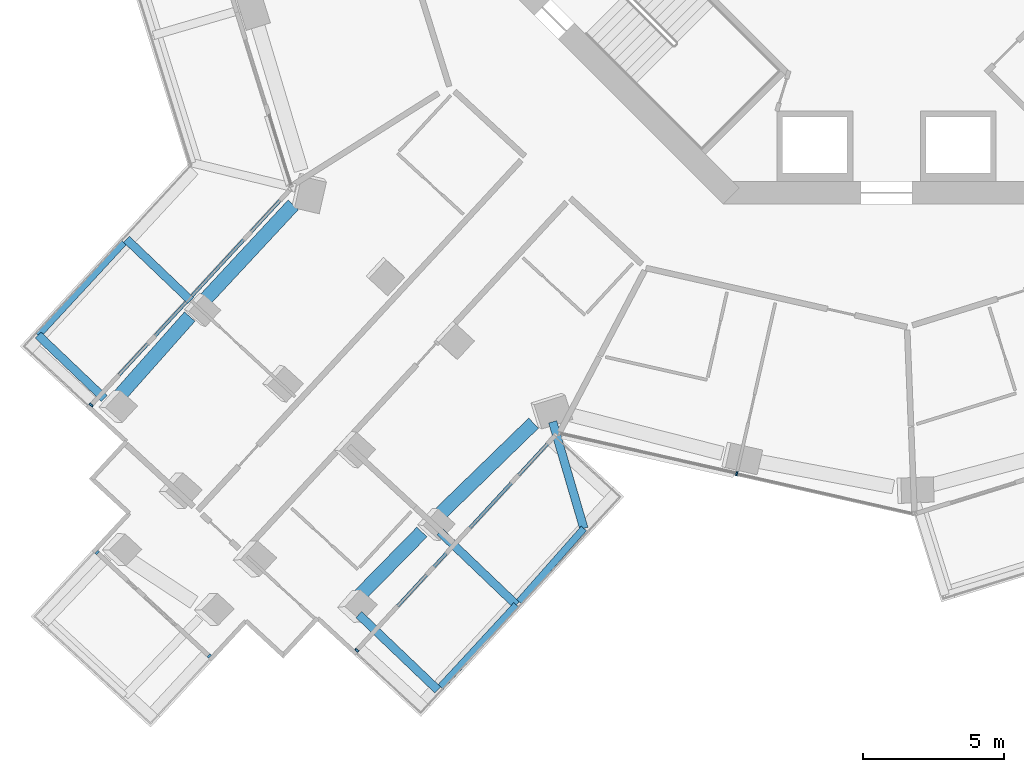
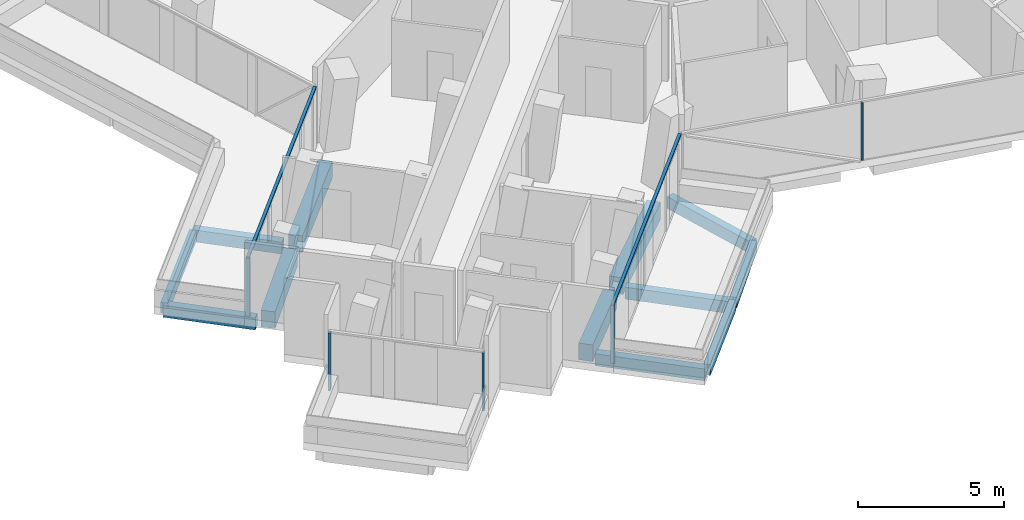
# One storey, part 2 of 25: 12 beams, 7 members, 4 elements without a shape of their own.
"""IFC4 building model written with IfcOpenShell, lengths in metres."""

import ifcopenshell
import ifcopenshell.guid

model = None  # the IFC model being written
_history = None  # IfcOwnerHistory: only IFC2X3 demands one
_inside = {}  # id of a spatial element -> (the spatial element, [elements in it])
_under = {}  # id of a project, library or spatial element -> (it, [spatial elements below it])
_declared = {}  # id of a project -> (the project, [libraries it declares])
_typed = {}  # id of a type object -> (the type object, [elements of that type])
_made_of = {}  # id of a material, layer set ... -> (it, [elements and type objects made of it])


def new_model(schema):
    """Start an empty IFC model of exactly this schema.

    Asked for "IFC4X3", IfcOpenShell would pick the latest addendum, in which some entities
    have other attributes; the version numbers below select the first issue.
    IFC2X3 requires an IfcOwnerHistory on every rooted entity: one is made here for all.
    """
    global model, _history
    if schema == "IFC4X3":
        model = ifcopenshell.file(schema_version=(4, 3, 0, 0))
    else:
        model = ifcopenshell.file(schema=schema)
    _inside.clear()
    _under.clear()
    _declared.clear()
    _typed.clear()
    _made_of.clear()
    _history = None
    if model.schema == "IFC2X3":
        org = make("IfcOrganization", Name="unknown")
        user = make(
            "IfcPersonAndOrganization",
            ThePerson=make("IfcPerson", FamilyName="unknown"),
            TheOrganization=org,
        )
        app = make(
            "IfcApplication",
            ApplicationDeveloper=org,
            Version="unknown",
            ApplicationFullName="unknown",
            ApplicationIdentifier="unknown",
        )
        _history = make(
            "IfcOwnerHistory",
            OwningUser=user,
            OwningApplication=app,
            ChangeAction="ADDED",
            CreationDate=0,
        )
    return model


def make(cls, **values):
    """One entity of the class cls with the attributes given. An attribute that is None is left unset."""
    return model.create_entity(
        cls, **{name: value for name, value in values.items() if value is not None}
    )


def rooted(cls, **values):
    """An entity with a GlobalId (a new one), such as an element, a storey or a relation."""
    return make(cls, GlobalId=ifcopenshell.guid.new(), OwnerHistory=_history, **values)


def si_unit(unit_type, name, prefix=None):
    """IfcSIUnit, for example si_unit("LENGTHUNIT", "METRE", prefix="MILLI")."""
    return make("IfcSIUnit", UnitType=unit_type, Prefix=prefix, Name=name)


def assignment(units):
    """IfcUnitAssignment: the units of a project."""
    return None if units is None else make("IfcUnitAssignment", Units=units)


def point(xyz):
    """IfcCartesianPoint."""
    return None if xyz is None else make("IfcCartesianPoint", Coordinates=xyz)


def direction(xyz):
    """IfcDirection."""
    return None if xyz is None else make("IfcDirection", DirectionRatios=xyz)


def frame(location, z_axis=None, x_axis=None):
    """IfcAxis2Placement3D, a coordinate frame: its origin and axes. An axis left out is left unset."""
    return make(
        "IfcAxis2Placement3D",
        Location=point(location),
        Axis=direction(z_axis),
        RefDirection=direction(x_axis),
    )


def frame_2d(location, x_axis=None):
    """IfcAxis2Placement2D, a coordinate frame in the plane: its origin and x axis."""
    return make(
        "IfcAxis2Placement2D", Location=point(location), RefDirection=direction(x_axis)
    )


def origin():
    """The frame at (0, 0, 0) with its axes left unset."""
    return frame((0.0, 0.0, 0.0))


def origin_2d():
    """The frame at (0, 0) in the plane with its x axis left unset."""
    return frame_2d((0.0, 0.0))


def place(relative_to, where):
    """IfcLocalPlacement: puts the frame where relative to a parent placement (None: the world)."""
    return make(
        "IfcLocalPlacement", PlacementRelTo=relative_to, RelativePlacement=where
    )


def context(
    kind, dimensions, precision=None, world=None, true_north=None, identifier=None
):
    """IfcGeometricRepresentationContext, for example the 3D "Model" context."""
    return make(
        "IfcGeometricRepresentationContext",
        ContextIdentifier=identifier,
        ContextType=kind,
        CoordinateSpaceDimension=dimensions,
        Precision=precision,
        WorldCoordinateSystem=world,
        TrueNorth=true_north,
    )


def subcontext(parent, identifier, kind, view, scale=None):
    """IfcGeometricRepresentationSubContext, for example "Body" below "Model"."""
    return make(
        "IfcGeometricRepresentationSubContext",
        ContextIdentifier=identifier,
        ContextType=kind,
        ParentContext=parent,
        TargetScale=scale,
        TargetView=view,
    )


def project(units=None, contexts=None):
    """IfcProject with its units and contexts."""
    return rooted(
        "IfcProject",
        Name="project",
        RepresentationContexts=contexts,
        UnitsInContext=assignment(units),
    )


def spatial(cls, under=None, at=None, **own):
    """A site, building, storey or space (cls), placed at a placement, below another one or the project."""
    s = rooted(cls, ObjectPlacement=at, **own)
    if under is not None:
        _under.setdefault(under.id(), (under, []))[1].append(s)
    return s


def profile(cls, at=None, kind="AREA", **sizes):
    """A parametric profile (cls). Its sizes go by their IFC names, for example OverallWidth=200.0."""
    return make(cls, ProfileType=kind, Position=at, **sizes)


def rectangle(**sizes):
    """IfcRectangleProfileDef."""
    return profile("IfcRectangleProfileDef", **sizes)


def extrude(swept, where, along, depth):
    """IfcExtrudedAreaSolid: the profile swept, set in the frame where, extruded along a direction by depth."""
    return make(
        "IfcExtrudedAreaSolid",
        SweptArea=swept,
        Position=where,
        ExtrudedDirection=direction(along),
        Depth=depth,
    )


def shape(context_of_items, identifier, shape_type, items):
    """IfcShapeRepresentation: the items that make up one representation, for example the "Body"."""
    return make(
        "IfcShapeRepresentation",
        ContextOfItems=context_of_items,
        RepresentationIdentifier=identifier,
        RepresentationType=shape_type,
        Items=items,
    )


def material(Name=None, Category=None):
    """IfcMaterial."""
    return make("IfcMaterial", Name=Name, Category=Category)


def layer(
    of_material, thickness, ventilated=None, Name=None, Category=None, Priority=None
):
    """IfcMaterialLayer: one layer of a wall or slab, of a material (None: an air gap)."""
    return make(
        "IfcMaterialLayer",
        Material=of_material,
        LayerThickness=thickness,
        IsVentilated=ventilated,
        Name=Name,
        Category=Category,
        Priority=Priority,
    )


def layer_set(layers, Name=None):
    """IfcMaterialLayerSet."""
    return make("IfcMaterialLayerSet", MaterialLayers=layers, LayerSetName=Name)


def material_profile(
    of_material, cross_section, Name=None, Category=None, Priority=None
):
    """IfcMaterialProfile: a cross section and its material."""
    return make(
        "IfcMaterialProfile",
        Name=Name,
        Material=of_material,
        Profile=cross_section,
        Priority=Priority,
        Category=Category,
    )


def profile_set(profiles, Name=None, composite=None):
    """IfcMaterialProfileSet."""
    return make(
        "IfcMaterialProfileSet",
        Name=Name,
        MaterialProfiles=profiles,
        CompositeProfile=composite,
    )


def made_of(thing, what):
    """Note that an element or type object is made of a material, layer set ...; save() writes the relation."""
    if what is not None:
        _made_of.setdefault(what.id(), (what, []))[1].append(thing)
    return thing


def type_object(cls, material=None, **own):
    """A type object (cls), such as IfcWallType, which elements share."""
    return made_of(rooted(cls, **own), material)


def element(
    cls,
    number,
    at=None,
    inside=None,
    cuts=None,
    type_object=None,
    material=None,
    context=None,
    identifier="Body",
    shape_type=None,
    held_by="IfcProductDefinitionShape",
    body=None,
    shapes=None,
    **own,
):
    """One element of the class cls, such as IfcWall. Its Tag is "e" and its number.

    at: its placement. inside: the storey or other place that contains it. cuts: it is an
    opening in that element (IfcRelVoidsElement). A single representation is given by context,
    identifier, shape_type and body (its items); several are given by shapes. held_by: the class
    of the entity that holds the representations. save() writes the other relations.
    """
    e = rooted(cls, Tag="e%d" % number, ObjectPlacement=at, **own)
    if body is not None:
        shapes = [shape(context, identifier, shape_type, body)]
    if shapes is not None:
        e.Representation = make(held_by, Representations=shapes)
    if inside is not None:
        _inside.setdefault(inside.id(), (inside, []))[1].append(e)
    if cuts is not None:
        rooted(
            "IfcRelVoidsElement", RelatingBuildingElement=cuts, RelatedOpeningElement=e
        )
    if type_object is not None:
        _typed.setdefault(type_object.id(), (type_object, []))[1].append(e)
    return made_of(e, material)


def aggregate(whole, parts):
    """IfcRelAggregates: a whole, such as a stair, and the parts it consists of."""
    return rooted("IfcRelAggregates", RelatingObject=whole, RelatedObjects=parts)


def save(model, path):
    """Write the relations noted so far, then the file.

    IfcRelAggregates (storeys below a building ...), IfcRelContainedInSpatialStructure (elements
    in a storey), IfcRelDefinesByType, IfcRelAssociatesMaterial and IfcRelDeclares: one each for
    every whole, place, type object, material and project.
    """
    for whole, parts in _under.values():
        aggregate(whole, parts)
    for where, things in _inside.values():
        rooted(
            "IfcRelContainedInSpatialStructure",
            RelatedElements=things,
            RelatingStructure=where,
        )
    for kind, things in _typed.values():
        rooted("IfcRelDefinesByType", RelatedObjects=things, RelatingType=kind)
    for what, things in _made_of.values():
        rooted("IfcRelAssociatesMaterial", RelatedObjects=things, RelatingMaterial=what)
    for by, libraries in _declared.values():
        rooted("IfcRelDeclares", RelatingContext=by, RelatedDefinitions=libraries)
    model.write(path)


model = new_model("IFC4")

# Units and contexts
model_context = context("Model", 3, precision=1e-05, world=origin(), true_north=direction((0.0, 1.0)))
body_context = subcontext(model_context, "Body", "Model", "MODEL_VIEW")
ifc_project = project(units=[si_unit("LENGTHUNIT", "METRE"), si_unit("AREAUNIT", "SQUARE_METRE"), si_unit("VOLUMEUNIT", "CUBIC_METRE"), si_unit("PLANEANGLEUNIT", "RADIAN"), si_unit("MASSUNIT", "GRAM", prefix="KILO")], contexts=[model_context])

# Site, building, storey
site_placement = place(None, origin())
site = spatial("IfcSite", under=ifc_project, at=site_placement, CompositionType="ELEMENT")
building_placement = place(site_placement, origin())
building = spatial("IfcBuilding", under=site, at=building_placement, Name="Verdalira Terraces Hotel", CompositionType="ELEMENT")
storey_placement = place(building_placement, frame((0.0, 0.0, 103.5)))
storey = spatial("IfcBuildingStorey", under=building, at=storey_placement, Name="L24", CompositionType="ELEMENT", Elevation=103.5)

# Beams
ifc_material_1 = material(Name="Concrete C40", Category="concrete")
ifc_material_profile_1 = material_profile(ifc_material_1, rectangle(XDim=0.300049, YDim=0.5, at=origin_2d()), Name="RC 300X500")
ifc_profile_set_1 = profile_set([ifc_material_profile_1], Name="Concrete C40")
beam_type_1 = type_object("IfcBeamType", Name="Balcony cantilever beam RC 300X500 C40", PredefinedType="BEAM", material=ifc_profile_set_1)
beam_1_placement = place(storey_placement, frame((-24.734131, -17.434082, -0.560059), z_axis=(-0.723200998, 0.690637616, 0.0), x_axis=(-0.690637616, -0.723200998, 0.0)))
element("IfcBeam", 1, at=beam_1_placement, inside=storey, type_object=beam_type_1, Name="Balcony cantilever beam R13-1", PredefinedType="BEAM", context=body_context, shape_type="SweptSolid", body=[
    extrude(rectangle(XDim=0.300049, YDim=0.5, at=origin_2d()), origin(), (0.0, 0.0, 1.0), 3.156494),
])
beam_2_placement = place(storey_placement, frame((-27.803955, -20.909668, -0.560059), z_axis=(-0.723212667, 0.690625396, 0.0), x_axis=(-0.690625396, -0.723212667, 0.0)))
element("IfcBeam", 2, at=beam_2_placement, inside=storey, type_object=beam_type_1, Name="Balcony cantilever beam R13-2", PredefinedType="BEAM", context=body_context, shape_type="SweptSolid", body=[
    extrude(rectangle(XDim=0.300049, YDim=0.5, at=origin_2d()), origin(), (0.0, 0.0, 1.0), 3.259033),
])
beam_3_placement = place(storey_placement, frame((-18.757812, -28.595947, -0.560059), z_axis=(0.723239874, -0.690596905, 0.0), x_axis=(0.690596905, 0.723239874, 0.0)))
element("IfcBeam", 3, at=beam_3_placement, inside=storey, type_object=beam_type_1, Name="Balcony cantilever beam R24-1", PredefinedType="BEAM", context=body_context, shape_type="SweptSolid", body=[
    extrude(rectangle(XDim=0.300049, YDim=0.5, at=origin_2d()), origin(), (0.0, 0.0, 1.0), 3.881592),
])
beam_4_placement = place(storey_placement, frame((-15.879883, -25.651123, -0.560059), z_axis=(0.723195064, -0.690643829, 0.0), x_axis=(0.690643829, 0.723195064, 0.0)))
element("IfcBeam", 4, at=beam_4_placement, inside=storey, type_object=beam_type_1, Name="Balcony cantilever beam R24-2", PredefinedType="BEAM", context=body_context, shape_type="SweptSolid", body=[
    extrude(rectangle(XDim=0.300049, YDim=0.5, at=origin_2d()), origin(), (0.0, 0.0, 1.0), 3.765137),
])
beam_5_placement = place(storey_placement, frame((-11.868164, -21.741455, -0.560059), z_axis=(0.280984845, -0.959712205, 0.0), x_axis=(0.959712205, 0.280984845, 0.0)))
element("IfcBeam", 5, at=beam_5_placement, inside=storey, type_object=beam_type_1, Name="Balcony cantilever beam R24-3", PredefinedType="BEAM", context=body_context, shape_type="SweptSolid", body=[
    extrude(rectangle(XDim=0.300049, YDim=0.5, at=origin_2d()), origin(), (0.0, 0.0, 1.0), 3.949951),
])
ifc_material_2 = material(Name="Concrete C40", Category="concrete")
ifc_material_profile_2 = material_profile(ifc_material_2, rectangle(XDim=0.25, YDim=0.449951, at=origin_2d()), Name="RC 250X450")
ifc_profile_set_2 = profile_set([ifc_material_profile_2], Name="Concrete C40")
beam_type_2 = type_object("IfcBeamType", Name="Balcony edge beam RC 250X450 C40", PredefinedType="BEAM", material=ifc_profile_set_2)
beam_6_placement = place(storey_placement, frame((-27.118652, -15.364502, -0.534912), z_axis=(-0.678427071, -0.734667755, 0.0), x_axis=(0.734667755, -0.678427071, 0.0)))
element("IfcBeam", 6, at=beam_6_placement, inside=storey, type_object=beam_type_2, Name="Balcony edge beam R13-1", PredefinedType="BEAM", context=body_context, shape_type="SweptSolid", body=[
    extrude(rectangle(XDim=0.25, YDim=0.449951, at=origin_2d()), origin(), (0.0, 0.0, 1.0), 4.484131),
])
beam_7_placement = place(storey_placement, frame((-15.848877, -31.166504, -0.534912), z_axis=(0.678428311, 0.734666609, 0.0), x_axis=(-0.734666609, 0.678428311, 0.0)))
element("IfcBeam", 7, at=beam_7_placement, inside=storey, type_object=beam_type_2, Name="Balcony edge beam R24-1", PredefinedType="BEAM", context=body_context, shape_type="SweptSolid", body=[
    extrude(rectangle(XDim=0.25, YDim=0.449951, at=origin_2d()), origin(), (0.0, 0.0, 1.0), 3.967773),
])
beam_8_placement = place(storey_placement, frame((-13.057617, -28.138916, -0.534912), z_axis=(0.661507799, 0.749938285, 0.0), x_axis=(-0.749938285, 0.661507799, 0.0)))
element("IfcBeam", 8, at=beam_8_placement, inside=storey, type_object=beam_type_2, Name="Balcony edge beam R24-2", PredefinedType="BEAM", context=body_context, shape_type="SweptSolid", body=[
    extrude(rectangle(XDim=0.25, YDim=0.449951, at=origin_2d()), origin(), (0.0, 0.0, 1.0), 3.47583),
])

# Curtain wall, member
ifc_material_3 = material(Name="Clear glass", Category="glass")
ifc_layer_1 = layer(ifc_material_3, 0.14990234375)
ifc_layer_set_1 = layer_set([ifc_layer_1], Name="CW1 curtain wall")
curtain_wall_type_1 = type_object("IfcCurtainWallType", Name="CW1 curtain wall", PredefinedType="NOTDEFINED", material=ifc_layer_set_1)
curtain_wall_1_placement = place(storey_placement, origin())
curtain_wall_1 = element("IfcCurtainWall", 9, at=curtain_wall_1_placement, inside=storey, type_object=curtain_wall_type_1, Name="CW1 curtain wall L24 edge 25", PredefinedType="NOTDEFINED")
ifc_material_4 = material(Name="Terracotta frame", Category="masonry")
ifc_material_profile_3 = material_profile(ifc_material_4, rectangle(XDim=0.060059, YDim=0.149902, at=origin_2d()), Name="MU 60x150")
ifc_profile_set_3 = profile_set([ifc_material_profile_3], Name="Terracotta frame")
member_type_1 = type_object("IfcMemberType", Name="CW1 mullion 60x150", PredefinedType="MULLION", material=ifc_profile_set_3)
member_1_placement = place(storey_placement, frame((-5.324951, -23.589844, 0.0), z_axis=(0.0, 0.0, 1.0), x_axis=(0.975457744, -0.220186717, 0.0)))
member_1 = element("IfcMember", 10, at=member_1_placement, type_object=member_type_1, Name="CW1 mullion", PredefinedType="MULLION", context=body_context, shape_type="SweptSolid", body=[
    extrude(rectangle(XDim=0.060059, YDim=0.149902, at=origin_2d()), origin(), (0.0, 0.0, 1.0), 2.425049),
])
aggregate(curtain_wall_1, [member_1])

ifc_material_5 = material(Name="Clear glass", Category="glass")
ifc_layer_2 = layer(ifc_material_5, 0.14990234375)
ifc_layer_set_2 = layer_set([ifc_layer_2], Name="CW2 curtain wall")
curtain_wall_type_2 = type_object("IfcCurtainWallType", Name="CW2 curtain wall", PredefinedType="NOTDEFINED", material=ifc_layer_set_2)
curtain_wall_2_placement = place(storey_placement, origin())
curtain_wall_2 = element("IfcCurtainWall", 11, at=curtain_wall_2_placement, inside=storey, type_object=curtain_wall_type_2, Name="CW2 curtain wall L24 edge 14", PredefinedType="NOTDEFINED")
ifc_material_6 = material(Name="Terracotta frame", Category="masonry")
ifc_material_profile_4 = material_profile(ifc_material_6, rectangle(XDim=0.070068, YDim=0.149902, at=origin_2d()), Name="MU 70x150")
ifc_profile_set_4 = profile_set([ifc_material_profile_4], Name="Terracotta frame")
member_type_2 = type_object("IfcMemberType", Name="CW2 mullion 70x150", PredefinedType="MULLION", material=ifc_profile_set_4)
member_2_placement = place(storey_placement, frame((-28.271484, -21.145508, 0.0), z_axis=(0.0, 0.0, 1.0), x_axis=(-0.678416162, -0.734677828, 0.0)))
member_2 = element("IfcMember", 12, at=member_2_placement, type_object=member_type_2, Name="CW2 mullion", PredefinedType="MULLION", context=body_context, shape_type="SweptSolid", body=[
    extrude(rectangle(XDim=0.070068, YDim=0.149902, at=origin_2d()), origin(), (0.0, 0.0, 1.0), 2.425049),
])

curtain_wall_3_placement = place(storey_placement, origin())
curtain_wall_3 = element("IfcCurtainWall", 13, at=curtain_wall_3_placement, inside=storey, type_object=curtain_wall_type_2, Name="CW2 curtain wall L24 edge 24", PredefinedType="NOTDEFINED")
member_3_placement = place(storey_placement, frame((-18.830811, -29.863281, 0.0), z_axis=(0.0, 0.0, 1.0), x_axis=(0.678416162, 0.734677828, 0.0)))
member_3 = element("IfcMember", 14, at=member_3_placement, type_object=member_type_2, Name="CW2 mullion", PredefinedType="MULLION", context=body_context, shape_type="SweptSolid", body=[
    extrude(rectangle(XDim=0.070068, YDim=0.149902, at=origin_2d()), origin(), (0.0, 0.0, 1.0), 2.425049),
])

# Member
ifc_material_7 = material(Name="Terracotta frame", Category="masonry")
ifc_material_profile_5 = material_profile(ifc_material_7, rectangle(XDim=0.11499, YDim=0.064941, at=origin_2d()), Name="TR 65x115")
ifc_profile_set_5 = profile_set([ifc_material_profile_5], Name="Terracotta frame")
member_type_3 = type_object("IfcMemberType", Name="CW2 transom 65x115", PredefinedType="USERDEFINED", material=ifc_profile_set_5)
member_4_placement = place(storey_placement, frame((-21.17749, -13.463135, 2.45752), z_axis=(-0.678413467, -0.734680317, 0.0), x_axis=(0.734680317, -0.678413467, 0.0)))
member_4 = element("IfcMember", 15, at=member_4_placement, type_object=member_type_3, Name="CW2 transom", ObjectType="TRANSOM", PredefinedType="USERDEFINED", context=body_context, shape_type="SweptSolid", body=[
    extrude(rectangle(XDim=0.11499, YDim=0.064941, at=origin_2d()), origin(), (0.0, 0.0, 1.0), 10.491699),
])

aggregate(curtain_wall_2, [member_2, member_4])

member_5_placement = place(storey_placement, frame((-18.854736, -29.888916, 2.45752), z_axis=(0.678426026, 0.734668719, 0.0), x_axis=(-0.734668719, 0.678426026, 0.0)))
member_5 = element("IfcMember", 16, at=member_5_placement, type_object=member_type_3, Name="CW2 transom", ObjectType="TRANSOM", PredefinedType="USERDEFINED", context=body_context, shape_type="SweptSolid", body=[
    extrude(rectangle(XDim=0.11499, YDim=0.064941, at=origin_2d()), origin(), (0.0, 0.0, 1.0), 10.491699),
])

aggregate(curtain_wall_3, [member_3, member_5])

# Curtain wall, members
ifc_material_8 = material(Name="Clear glass", Category="glass")
ifc_layer_3 = layer(ifc_material_8, 0.14990234375)
ifc_layer_set_3 = layer_set([ifc_layer_3], Name="CW3 curtain wall")
curtain_wall_type_3 = type_object("IfcCurtainWallType", Name="CW3 curtain wall", PredefinedType="NOTDEFINED", material=ifc_layer_set_3)
curtain_wall_4_placement = place(storey_placement, origin())
curtain_wall_4 = element("IfcCurtainWall", 17, at=curtain_wall_4_placement, inside=storey, type_object=curtain_wall_type_3, Name="CW3 curtain wall L24 edge 19", PredefinedType="NOTDEFINED")
ifc_material_9 = material(Name="Terracotta frame", Category="masonry")
ifc_material_profile_6 = material_profile(ifc_material_9, rectangle(XDim=0.080078, YDim=0.149902, at=origin_2d()), Name="MU 80x150")
ifc_profile_set_6 = profile_set([ifc_material_profile_6], Name="Terracotta frame")
member_type_4 = type_object("IfcMemberType", Name="CW3 mullion 80x150", PredefinedType="MULLION", material=ifc_profile_set_6)
member_6_placement = place(storey_placement, frame((-28.059082, -26.391602, 0.0), z_axis=(0.0, 0.0, 1.0), x_axis=(0.734677828, -0.678416162, 0.0)))
member_6 = element("IfcMember", 18, at=member_6_placement, type_object=member_type_4, Name="CW3 mullion", PredefinedType="MULLION", context=body_context, shape_type="SweptSolid", body=[
    extrude(rectangle(XDim=0.080078, YDim=0.149902, at=origin_2d()), origin(), (0.0, 0.0, 1.0), 2.425049),
])
member_7_placement = place(storey_placement, frame((-24.077148, -30.068604, 0.0), z_axis=(0.0, 0.0, 1.0), x_axis=(0.734677828, -0.678416162, 0.0)))
member_7 = element("IfcMember", 19, at=member_7_placement, type_object=member_type_4, Name="CW3 mullion", PredefinedType="MULLION", context=body_context, shape_type="SweptSolid", body=[
    extrude(rectangle(XDim=0.080078, YDim=0.149902, at=origin_2d()), origin(), (0.0, 0.0, 1.0), 2.425049),
])
aggregate(curtain_wall_4, [member_6, member_7])

# Beams
ifc_material_10 = material(Name="Concrete C70", Category="concrete")
ifc_material_profile_7 = material_profile(ifc_material_10, rectangle(XDim=0.5, YDim=0.699951, at=origin_2d()), Name="RC 500X700")
ifc_profile_set_7 = profile_set([ifc_material_profile_7], Name="Concrete C70")
beam_type_3 = type_object("IfcBeamType", Name="Spandrel beam RC 500X700 C70", PredefinedType="SPANDREL", material=ifc_profile_set_7)
beam_9_placement = place(storey_placement, frame((-21.090332, -14.028076, -0.659912), z_axis=(-0.680860731, -0.732412906, 0.0), x_axis=(0.732412906, -0.680860731, 0.0)))
element("IfcBeam", 20, at=beam_9_placement, inside=storey, type_object=beam_type_3, Name="Spandrel beam B10", PredefinedType="SPANDREL", context=body_context, shape_type="SweptSolid", body=[
    extrude(rectangle(XDim=0.5, YDim=0.699951, at=origin_2d()), origin(), (0.0, 0.0, 1.0), 4.59375),
])
beam_10_placement = place(storey_placement, frame((-24.768799, -17.999756, -0.659912), z_axis=(-0.663383651, -0.748279448, 0.0), x_axis=(0.748279448, -0.663383651, 0.0)))
element("IfcBeam", 21, at=beam_10_placement, inside=storey, type_object=beam_type_3, Name="Spandrel beam B11", PredefinedType="SPANDREL", context=body_context, shape_type="SweptSolid", body=[
    extrude(rectangle(XDim=0.5, YDim=0.699951, at=origin_2d()), origin(), (0.0, 0.0, 1.0), 3.836182),
])
beam_11_placement = place(storey_placement, frame((-18.849609, -28.039062, -0.659912), z_axis=(0.700081657, 0.714062794, 0.0), x_axis=(-0.714062794, 0.700081657, 0.0)))
element("IfcBeam", 22, at=beam_11_placement, inside=storey, type_object=beam_type_3, Name="Spandrel beam B13", PredefinedType="SPANDREL", context=body_context, shape_type="SweptSolid", body=[
    extrude(rectangle(XDim=0.5, YDim=0.699951, at=origin_2d()), origin(), (0.0, 0.0, 1.0), 3.335205),
])
beam_12_placement = place(storey_placement, frame((-15.93335, -25.079102, -0.659912), z_axis=(0.717448436, 0.696611615, 0.0), x_axis=(-0.696611615, 0.717448436, 0.0)))
element("IfcBeam", 23, at=beam_12_placement, inside=storey, type_object=beam_type_3, Name="Spandrel beam B14", PredefinedType="SPANDREL", context=body_context, shape_type="SweptSolid", body=[
    extrude(rectangle(XDim=0.5, YDim=0.699951, at=origin_2d()), origin(), (0.0, 0.0, 1.0), 4.721924),
])

save(model, "model.ifc")
